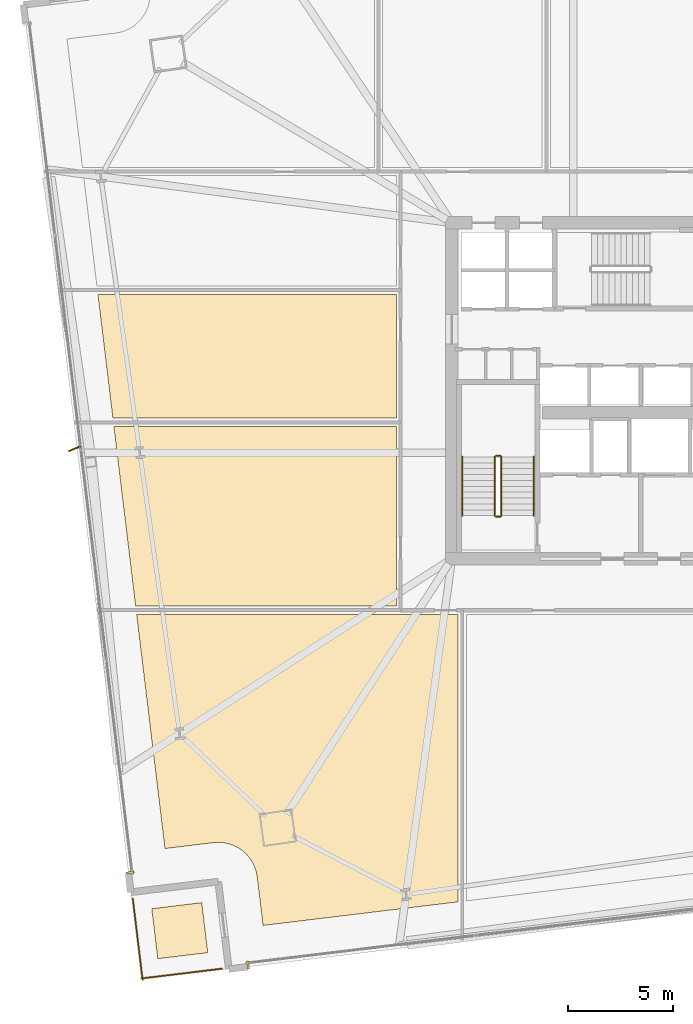
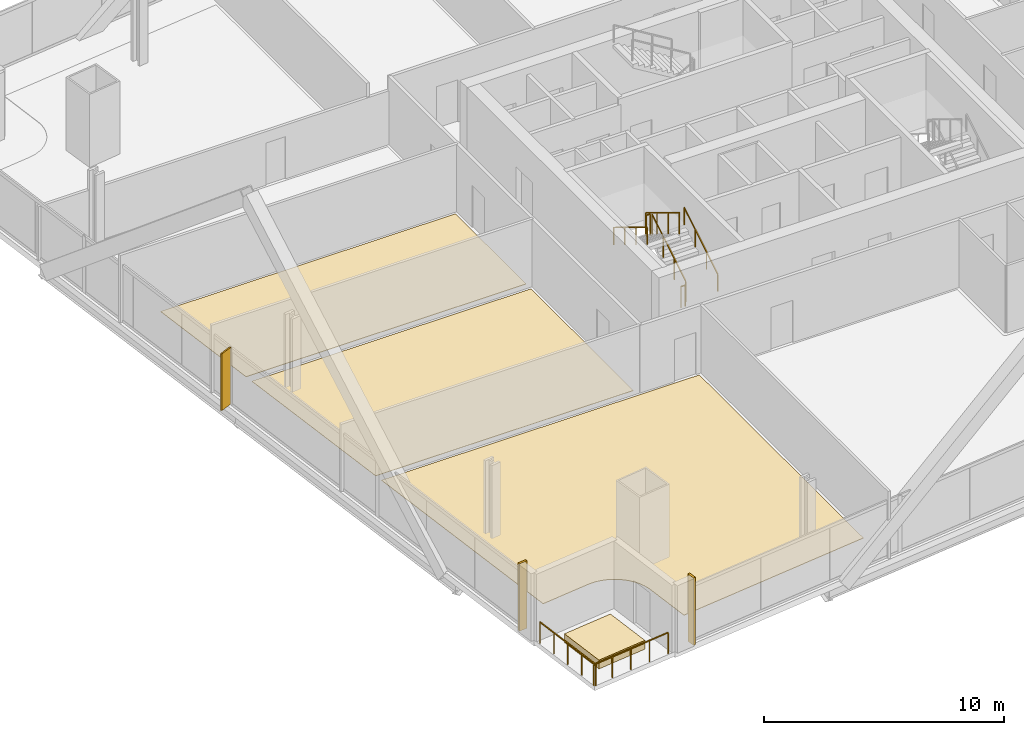
# One storey, part 29 of 33: 8 railings, 6 coverings, 1 shading device.
"""IFC4 building model written with IfcOpenShell, lengths in metres."""

from ifc_helpers import new_model, si_unit, direction, frame, origin, origin_2d, place, context, subcontext, project, spatial, polyline, rectangle, outline, extrude, source, transform, mapped, material, layer, layer_set, type_object, element, save


model = new_model("IFC4")

# Units and contexts
model_context = context("Model", 3, precision=1e-05, world=origin(), true_north=direction((0.0, 1.0)))
body_context = subcontext(model_context, "Body", "Model", "MODEL_VIEW")
ifc_project = project(units=[si_unit("LENGTHUNIT", "METRE"), si_unit("AREAUNIT", "SQUARE_METRE"), si_unit("VOLUMEUNIT", "CUBIC_METRE"), si_unit("PLANEANGLEUNIT", "RADIAN"), si_unit("MASSUNIT", "GRAM", prefix="KILO")], contexts=[model_context])

# Site, building, storey
site_placement = place(None, origin())
site = spatial("IfcSite", under=ifc_project, at=site_placement, CompositionType="ELEMENT")
building_placement = place(site_placement, origin())
building = spatial("IfcBuilding", under=site, at=building_placement, Name="Haldenkirk Collegiate Tower", CompositionType="ELEMENT")
storey_placement = place(building_placement, frame((0.0, 0.0, 51.449951171875)))
storey = spatial("IfcBuildingStorey", under=building, at=storey_placement, Name="L11", CompositionType="ELEMENT", Elevation=51.449951171875)

# Coverings
ifc_material_1 = material(Name="Polished collegiate terrazzo", Category="concrete")
ifc_layer_1 = layer(ifc_material_1, 0.02490234375)
ifc_layer_set_1 = layer_set([ifc_layer_1], Name="Polished collegiate terrazzo")
covering_type_1 = type_object("IfcCoveringType", Name="COV-FLOOR-TERRAZZO", PredefinedType="FLOORING", material=ifc_layer_set_1)
covering_1_placement = place(storey_placement, origin())
element("IfcCovering", 1, at=covering_1_placement, inside=storey, type_object=covering_type_1, Name="L11 academic room finish 02", PredefinedType="FLOORING", context=body_context, shape_type="SweptSolid", body=[
    extrude(outline(polyline([(17.398681640625, 3.6796875), (17.391845703125, 3.689453125), (17.286376953125, 3.8251953125), (17.27880859375, 3.833984375), (17.16064453125, 3.958740234375), (17.152099609375, 3.966796875), (17.0224609375, 4.079345703125), (17.01318359375, 4.086669921875), (16.872802734375, 4.185791015625), (16.863037109375, 4.192138671875), (16.7138671875, 4.277099609375), (16.703369140625, 4.282470703125), (16.54638671875, 4.352294921875), (16.535400390625, 4.356689453125), (16.37255859375, 4.410888671875), (16.361083984375, 4.4140625), (16.19384765625, 4.451904296875), (16.18212890625, 4.4541015625), (16.01171875, 4.4755859375), (16.0, 4.4765625), (15.828369140625, 4.481201171875), (15.81640625, 4.480712890625), (15.645263671875, 4.468505859375), (15.639404296875, 4.468017578125), (13.326171875, 4.18798828125), (11.9755859375, 15.35009765625), (27.300048828125, 15.35009765625), (27.300048828125, 1.6484375), (18.00048828125, 0.52294921875), (17.720458984375, 2.836181640625), (17.719482421875, 2.841796875), (17.690673828125, 3.01123046875), (17.68798828125, 3.022705078125), (17.642578125, 3.1884765625), (17.638916015625, 3.199462890625), (17.57763671875, 3.35986328125), (17.57275390625, 3.37060546875), (17.495849609375, 3.5244140625), (17.489990234375, 3.534423828125), (17.398681640625, 3.6796875)])), origin(), (0.0, 0.0, 1.0), 0.025146484375),
])
covering_2_placement = place(storey_placement, origin())
element("IfcCovering", 2, at=covering_2_placement, inside=storey, type_object=covering_type_1, Name="L11 academic room finish 10", PredefinedType="FLOORING", context=body_context, shape_type="SweptSolid", body=[
    extrude(outline(polyline([(10.1298828125, 30.60009765625), (24.35009765625, 30.60009765625), (24.35009765625, 24.699951171875), (10.843994140625, 24.699951171875), (10.1298828125, 30.60009765625)])), origin(), (0.0, 0.0, 1.0), 0.025146484375),
])
ifc_material_2 = material(Name="Engineered collegiate oak acoustic flooring", Category="wood")
ifc_layer_2 = layer(ifc_material_2, 0.02197265625)
ifc_layer_set_2 = layer_set([ifc_layer_2], Name="Engineered collegiate oak acoustic flooring")
covering_type_2 = type_object("IfcCoveringType", Name="COV-FLOOR-TIMBER", PredefinedType="FLOORING", material=ifc_layer_set_2)
covering_3_placement = place(storey_placement, origin())
element("IfcCovering", 3, at=covering_3_placement, inside=storey, type_object=covering_type_2, Name="L11 academic room finish 09", PredefinedType="FLOORING", context=body_context, shape_type="SweptSolid", body=[
    extrude(outline(polyline([(10.892333984375, 24.300048828125), (24.35009765625, 24.300048828125), (24.35009765625, 15.75), (11.927001953125, 15.75), (10.892333984375, 24.300048828125)])), origin(), (0.0, 0.0, 1.0), 0.02197265625),
])
ifc_material_3 = material(Name="Precast concrete f'c 40 MPa", Category="concrete")
ifc_layer_3 = layer(ifc_material_3, 0.449951171875)
ifc_layer_set_3 = layer_set([ifc_layer_3], Name="Precast concrete f'c 40 MPa")
covering_type_3 = type_object("IfcCoveringType", Name="COV-PLANTER-450", PredefinedType="USERDEFINED", material=ifc_layer_set_3)
covering_4_placement = place(storey_placement, origin())
element("IfcCovering", 4, at=covering_4_placement, inside=storey, type_object=covering_type_3, Name="L11 planted garden planter bed", ObjectType="PLANTER", PredefinedType="USERDEFINED", context=body_context, shape_type="SweptSolid", body=[
    extrude(outline(polyline([(12.984375, -1.06103515625), (12.696044921875, 1.321533203125), (15.07861328125, 1.60986328125), (15.366943359375, -0.772705078125), (12.984375, -1.06103515625)])), origin(), (0.0, 0.0, 1.0), 0.449951171875),
])

# Railings
ifc_material_4 = material(Name="Painted architectural tubular steel", Category="steel")
railing_type_1 = type_object("IfcRailingType", Name="RLG-STAIR-GUARD-1100", PredefinedType="BALUSTRADE", material=ifc_material_4)
railing_1_placement = place(storey_placement, frame((29.35009765625, 20.050048828125, 0.17041015625)))
element("IfcRailing", 5, at=railing_1_placement, inside=storey, type_object=railing_type_1, Name="L11 ST-1 stair guard 1", PredefinedType="BALUSTRADE", context=body_context, shape_type="SweptSolid", body=[
    extrude(rectangle(XDim=0.048095703125, YDim=0.048095703125, at=origin_2d()), frame((0.0, 0.0, 1.076171875), z_axis=(0.0, 0.854169791009, 0.51999420009), x_axis=(-1.0, 0.0, 0.0)), (0.0, 0.0, 1.0), 3.278076171875),
    extrude(rectangle(XDim=0.0419921875, YDim=0.0419921875, at=origin_2d()), origin(), (0.0, 0.0, 1.0), 1.052001953125),
    extrude(rectangle(XDim=0.0419921875, YDim=0.0419921875, at=origin_2d()), frame((0.0, 0.933349609375, 0.568115234375)), (0.0, 0.0, 1.0), 1.052001953125),
    extrude(rectangle(XDim=0.0419921875, YDim=0.0419921875, at=origin_2d()), frame((0.0, 1.86669921875, 1.136474609375)), (0.0, 0.0, 1.0), 1.052001953125),
    extrude(rectangle(XDim=0.0419921875, YDim=0.0419921875, at=origin_2d()), frame((0.0, 2.800048828125, 1.70458984375)), (0.0, 0.0, 1.0), 1.052001953125),
])
railing_2_placement = place(storey_placement, frame((29.300048828125, 22.89990234375, 1.875)))
element("IfcRailing", 6, at=railing_2_placement, inside=storey, type_object=railing_type_1, Name="L11 ST-1 stair guard 2", PredefinedType="BALUSTRADE", context=body_context, shape_type="SweptSolid", body=[
    extrude(rectangle(XDim=0.048095703125, YDim=0.048095703125, at=origin_2d()), frame((0.0, 0.0, 1.076171875), z_axis=(-1.0, 0.0, 0.0), x_axis=(0.0, -1.0, 0.0)), (0.0, 0.0, 1.0), 0.199951171875),
    extrude(rectangle(XDim=0.0419921875, YDim=0.0419921875, at=origin_2d()), origin(), (0.0, 0.0, 1.0), 1.052001953125),
    extrude(rectangle(XDim=0.0419921875, YDim=0.0419921875, at=origin_2d()), frame((-0.199951171875, 0.0, 0.0)), (0.0, 0.0, 1.0), 1.052001953125),
])
railing_3_placement = place(storey_placement, frame((29.050048828125, 22.85009765625, 2.04541015625)))
element("IfcRailing", 7, at=railing_3_placement, inside=storey, type_object=railing_type_1, Name="L11 ST-1 stair guard 3", PredefinedType="BALUSTRADE", context=body_context, shape_type="SweptSolid", body=[
    extrude(rectangle(XDim=0.048095703125, YDim=0.048095703125, at=origin_2d()), frame((0.0, 0.0, 1.076171875), z_axis=(0.0, -0.854169791009, 0.51999420009), x_axis=(1.0, 0.0, 0.0)), (0.0, 0.0, 1.0), 3.278076171875),
    extrude(rectangle(XDim=0.0419921875, YDim=0.0419921875, at=origin_2d()), origin(), (0.0, 0.0, 1.0), 1.052001953125),
    extrude(rectangle(XDim=0.0419921875, YDim=0.0419921875, at=origin_2d()), frame((0.0, -0.933349609375, 0.568115234375)), (0.0, 0.0, 1.0), 1.052001953125),
    extrude(rectangle(XDim=0.0419921875, YDim=0.0419921875, at=origin_2d()), frame((0.0, -1.86669921875, 1.136474609375)), (0.0, 0.0, 1.0), 1.052001953125),
    extrude(rectangle(XDim=0.0419921875, YDim=0.0419921875, at=origin_2d()), frame((0.0, -2.800048828125, 1.70458984375)), (0.0, 0.0, 1.0), 1.052001953125),
])
railing_4_placement = place(storey_placement, frame((29.300048828125, 20.0, 0.0)))
element("IfcRailing", 8, at=railing_4_placement, inside=storey, type_object=railing_type_1, Name="L11 ST-1 stair guard 4", PredefinedType="BALUSTRADE", context=body_context, shape_type="SweptSolid", body=[
    extrude(rectangle(XDim=0.048095703125, YDim=0.048095703125, at=origin_2d()), frame((0.0, 0.0, 1.076171875), z_axis=(-1.0, 0.0, 0.0), x_axis=(0.0, -1.0, 0.0)), (0.0, 0.0, 1.0), 0.199951171875),
    extrude(rectangle(XDim=0.0419921875, YDim=0.0419921875, at=origin_2d()), origin(), (0.0, 0.0, 1.0), 1.052001953125),
    extrude(rectangle(XDim=0.0419921875, YDim=0.0419921875, at=origin_2d()), frame((-0.199951171875, 0.0, 0.0)), (0.0, 0.0, 1.0), 1.052001953125),
])
railing_type_2 = type_object("IfcRailingType", Name="RLG-STAIR-HANDRAIL-900", PredefinedType="HANDRAIL", material=ifc_material_4)
railing_5_placement = place(storey_placement, frame((30.89990234375, 20.050048828125, 0.17041015625)))
element("IfcRailing", 9, at=railing_5_placement, inside=storey, type_object=railing_type_2, Name="L11 ST-1 stair handrail 1", PredefinedType="HANDRAIL", context=body_context, shape_type="SweptSolid", body=[
    extrude(rectangle(XDim=0.048095703125, YDim=0.048095703125, at=origin_2d()), frame((0.0, 0.0, 0.8759765625), z_axis=(0.0, 0.854169791009, 0.51999420009), x_axis=(-1.0, 0.0, 0.0)), (0.0, 0.0, 1.0), 3.278076171875),
    extrude(rectangle(XDim=0.0419921875, YDim=0.0419921875, at=origin_2d()), origin(), (0.0, 0.0, 1.0), 0.851806640625),
    extrude(rectangle(XDim=0.0419921875, YDim=0.0419921875, at=origin_2d()), frame((0.0, 0.933349609375, 0.568115234375)), (0.0, 0.0, 1.0), 0.851806640625),
    extrude(rectangle(XDim=0.0419921875, YDim=0.0419921875, at=origin_2d()), frame((0.0, 1.86669921875, 1.136474609375)), (0.0, 0.0, 1.0), 0.851806640625),
    extrude(rectangle(XDim=0.0419921875, YDim=0.0419921875, at=origin_2d()), frame((0.0, 2.800048828125, 1.70458984375)), (0.0, 0.0, 1.0), 0.851806640625),
])
railing_6_placement = place(storey_placement, frame((27.5, 22.85009765625, 2.04541015625)))
element("IfcRailing", 10, at=railing_6_placement, inside=storey, type_object=railing_type_2, Name="L11 ST-1 stair handrail 2", PredefinedType="HANDRAIL", context=body_context, shape_type="SweptSolid", body=[
    extrude(rectangle(XDim=0.048095703125, YDim=0.048095703125, at=origin_2d()), frame((0.0, 0.0, 0.8759765625), z_axis=(0.0, -0.854169791009, 0.51999420009), x_axis=(1.0, 0.0, 0.0)), (0.0, 0.0, 1.0), 3.278076171875),
    extrude(rectangle(XDim=0.0419921875, YDim=0.0419921875, at=origin_2d()), origin(), (0.0, 0.0, 1.0), 0.851806640625),
    extrude(rectangle(XDim=0.0419921875, YDim=0.0419921875, at=origin_2d()), frame((0.0, -0.933349609375, 0.568115234375)), (0.0, 0.0, 1.0), 0.851806640625),
    extrude(rectangle(XDim=0.0419921875, YDim=0.0419921875, at=origin_2d()), frame((0.0, -1.86669921875, 1.136474609375)), (0.0, 0.0, 1.0), 0.851806640625),
    extrude(rectangle(XDim=0.0419921875, YDim=0.0419921875, at=origin_2d()), frame((0.0, -2.800048828125, 1.70458984375)), (0.0, 0.0, 1.0), 0.851806640625),
])
ifc_material_5 = material(Name="Anodised architectural bronze aluminium", Category="aluminium")
railing_type_3 = type_object("IfcRailingType", Name="RLG-TERR-BALUSTRADE-1100", PredefinedType="BALUSTRADE", material=ifc_material_5)
railing_7_placement = place(storey_placement, frame((12.19189453125, -2.0029296875, 0.0)))
element("IfcRailing", 11, at=railing_7_placement, inside=storey, type_object=railing_type_3, Name="L11 terrace guard balustrade 1-1", PredefinedType="BALUSTRADE", context=body_context, shape_type="SweptSolid", body=[
    extrude(rectangle(XDim=0.048095703125, YDim=0.048095703125, at=origin_2d()), frame((0.0, 0.0, 1.076171875), z_axis=(0.992766545837, 0.120060757397, 0.0), x_axis=(-0.120060757397, 0.992766545837, 0.0)), (0.0, 0.0, 1.0), 3.8798828125),
    extrude(rectangle(XDim=0.0419921875, YDim=0.0419921875, at=origin_2d()), origin(), (0.0, 0.0, 1.0), 1.052001953125),
    extrude(rectangle(XDim=0.0419921875, YDim=0.0419921875, at=origin_2d()), frame((0.962890625, 0.116455078125, 0.0)), (0.0, 0.0, 1.0), 1.052001953125),
    extrude(rectangle(XDim=0.0419921875, YDim=0.0419921875, at=origin_2d()), frame((1.92578125, 0.23291015625, 0.0)), (0.0, 0.0, 1.0), 1.052001953125),
    extrude(rectangle(XDim=0.0419921875, YDim=0.0419921875, at=origin_2d()), frame((2.888916015625, 0.349365234375, 0.0)), (0.0, 0.0, 1.0), 1.052001953125),
    extrude(rectangle(XDim=0.0419921875, YDim=0.0419921875, at=origin_2d()), frame((3.851806640625, 0.4658203125, 0.0)), (0.0, 0.0, 1.0), 1.052001953125),
])
railing_8_placement = place(storey_placement, frame((11.79248046875, 1.79638671875, 0.0)))
element("IfcRailing", 12, at=railing_8_placement, inside=storey, type_object=railing_type_3, Name="L11 terrace guard balustrade 4-1", PredefinedType="BALUSTRADE", context=body_context, shape_type="SweptSolid", body=[
    extrude(rectangle(XDim=0.048095703125, YDim=0.048095703125, at=origin_2d()), frame((0.0, 0.0, 1.076171875), z_axis=(0.120122774583, -0.99275904379, 0.0), x_axis=(0.99275904379, 0.120122774583, 0.0)), (0.0, 0.0, 1.0), 3.8798828125),
    extrude(rectangle(XDim=0.0419921875, YDim=0.0419921875, at=origin_2d()), origin(), (0.0, 0.0, 1.0), 1.052001953125),
    extrude(rectangle(XDim=0.0419921875, YDim=0.0419921875, at=origin_2d()), frame((0.116455078125, -0.962890625, 0.0)), (0.0, 0.0, 1.0), 1.052001953125),
    extrude(rectangle(XDim=0.0419921875, YDim=0.0419921875, at=origin_2d()), frame((0.23291015625, -1.92578125, 0.0)), (0.0, 0.0, 1.0), 1.052001953125),
    extrude(rectangle(XDim=0.0419921875, YDim=0.0419921875, at=origin_2d()), frame((0.349609375, -2.888916015625, 0.0)), (0.0, 0.0, 1.0), 1.052001953125),
    extrude(rectangle(XDim=0.0419921875, YDim=0.0419921875, at=origin_2d()), frame((0.466064453125, -3.851806640625, 0.0)), (0.0, 0.0, 1.0), 1.052001953125),
])

# Coverings
ifc_layer_4 = layer(ifc_material_5, 0.06005859375)
ifc_layer_set_4 = layer_set([ifc_layer_4], Name="Anodised architectural bronze aluminium")
covering_type_4 = type_object("IfcCoveringType", Name="COV-CLAD-BRONZE-60", PredefinedType="CLADDING", material=ifc_layer_set_4)
shared_shape_1 = source(origin(), body_context, "Body", "SweptSolid", [
    extrude(rectangle(XDim=0.10009765625, YDim=0.3798828125, at=origin_2d()), origin(), (0.0, 0.0, 1.0), 3.43994140625),
])
for number, where, z_axis, x_axis, name in (
    (13, (17.281005859375, -1.35693359375, 0.0), (0.0, 0.0, 1.0), (-0.992757341929, -0.120136838835, 0.0), "L11 recessed curtain-wall bronze jamb closure SJR"),
    (14, (11.672119140625, 3.041015625, 0.0), (0.0, 0.0, 1.0), (-0.120136838835, 0.992757341929, 0.0), "L11 recessed curtain-wall bronze jamb closure WJL"),
):
    element("IfcCovering", number, at=place(storey_placement, frame(where, z_axis=z_axis, x_axis=x_axis)), inside=storey, type_object=covering_type_4, Name=name, PredefinedType="CLADDING", context=body_context, shape_type="MappedRepresentation", body=[
        mapped(shared_shape_1, transform((0.0, 0.0, 0.0), x_axis=(1.0, 0.0, 0.0), y_axis=(0.0, 1.0, 0.0), z_axis=(0.0, 0.0, 1.0), scale=1.0)),
    ])

# Shading device
ifc_layer_5 = layer(ifc_material_5, 0.06494140625)
ifc_layer_set_5 = layer_set([ifc_layer_5], Name="Anodised architectural bronze aluminium")
shading_device_type = type_object("IfcShadingDeviceType", Name="SHD-FIN-BRONZE-620", PredefinedType="USERDEFINED", material=ifc_layer_set_5)
shared_shape_2 = source(origin(), body_context, "Body", "SweptSolid", [
    extrude(rectangle(XDim=0.6201171875, YDim=0.06494140625, at=origin_2d()), origin(), (0.0, 0.0, 1.0), 2.89111328125),
])
shading_device_placement = place(storey_placement, frame((9.021240234375, 23.239013671875, 0.0), z_axis=(0.0, 0.0, 1.0), x_axis=(-0.921185405566, -0.38912395014, 0.0)))
element("IfcShadingDevice", 15, at=shading_device_placement, inside=storey, type_object=shading_device_type, Name="L11 folded bronze solar fin 1", ObjectType="FIN", PredefinedType="USERDEFINED", context=body_context, shape_type="MappedRepresentation", body=[
    mapped(shared_shape_2, transform((0.0, 0.0, 0.0), x_axis=(1.0, 0.0, 0.0), y_axis=(0.0, 1.0, 0.0), z_axis=(0.0, 0.0, 1.0), scale=1.0)),
])

save(model, "model.ifc")
